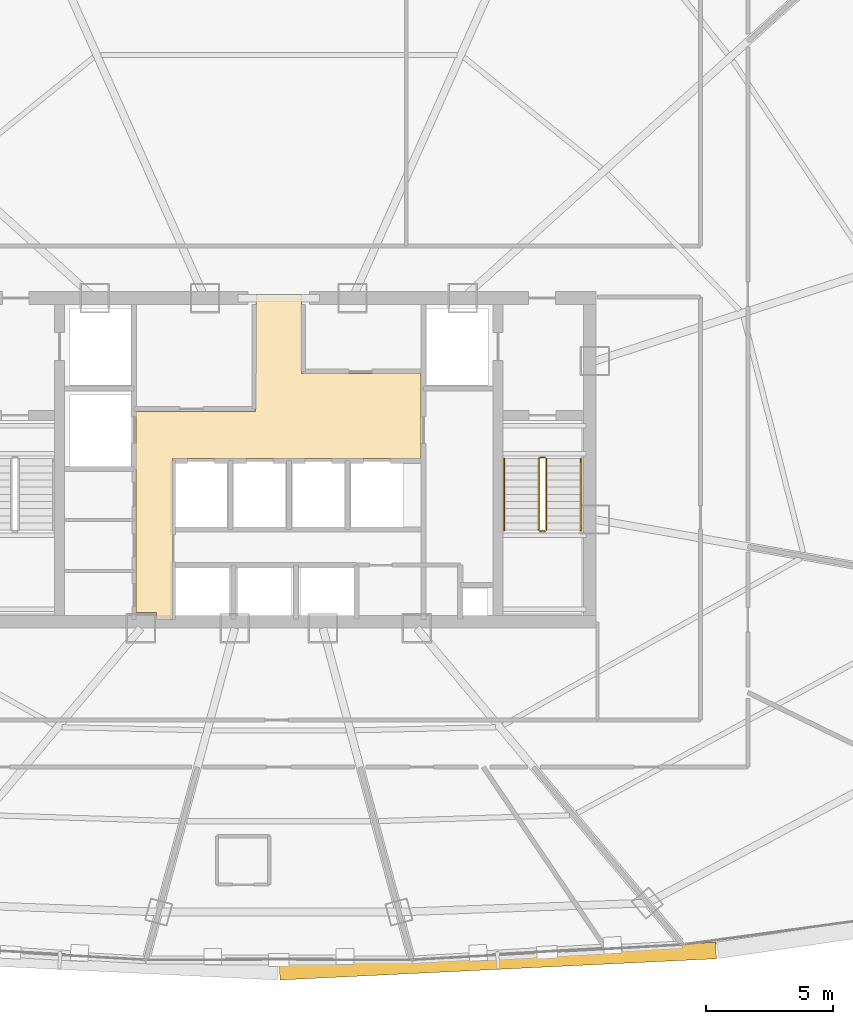
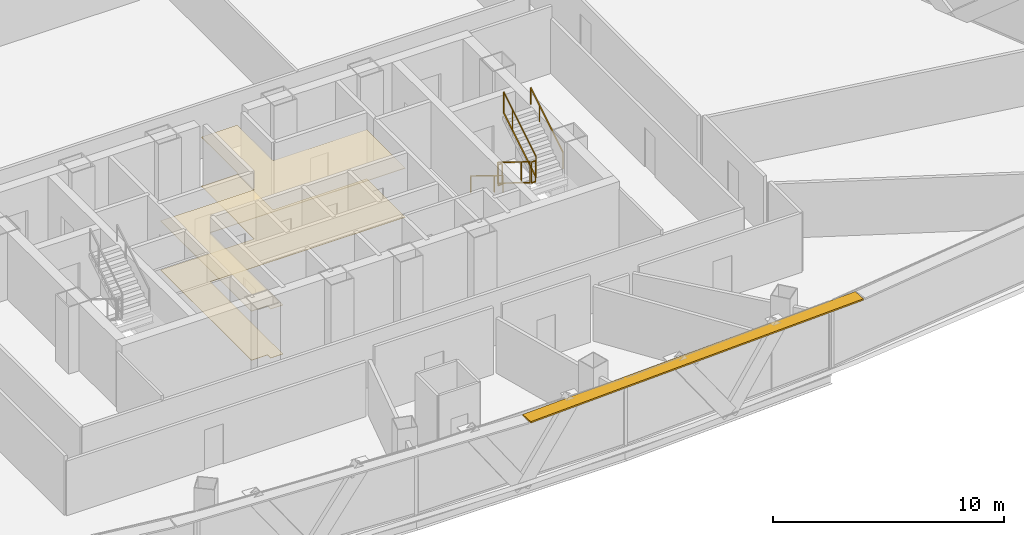
# One storey, part 35 of 37: 6 railings, 2 coverings, 1 shading device.
"""IFC4 building model written with IfcOpenShell, lengths in metres."""

from ifc_helpers import new_model, si_unit, direction, frame, origin, origin_2d, place, context, subcontext, project, spatial, polyline, rectangle, outline, extrude, source, transform, mapped, material, layer, layer_set, type_object, element, save


model = new_model("IFC4")

# Units and contexts
model_context = context("Model", 3, precision=1e-05, world=origin(), true_north=direction((0.0, 1.0)))
body_context = subcontext(model_context, "Body", "Model", "MODEL_VIEW")
ifc_project = project(units=[si_unit("LENGTHUNIT", "METRE"), si_unit("AREAUNIT", "SQUARE_METRE"), si_unit("VOLUMEUNIT", "CUBIC_METRE"), si_unit("PLANEANGLEUNIT", "RADIAN"), si_unit("MASSUNIT", "GRAM", prefix="KILO"), si_unit("THERMODYNAMICTEMPERATUREUNIT", "KELVIN"), si_unit("POWERUNIT", "WATT")], contexts=[model_context])

# Site, building, storey
site_placement = place(None, origin())
site = spatial("IfcSite", under=ifc_project, at=site_placement, CompositionType="ELEMENT")
building_placement = place(site_placement, origin())
building = spatial("IfcBuilding", under=site, at=building_placement, Name="Yunzhuo Pagoda Commons", CompositionType="ELEMENT")
storey_placement = place(building_placement, frame((0.0, 0.0, 199.9599609375)))
storey = spatial("IfcBuildingStorey", under=building, at=storey_placement, Name="L50", CompositionType="ELEMENT", Elevation=199.9599609375)

# Coverings
ifc_material_1 = material(Name="Perforated gypsum acoustic ceiling tile")
ifc_layer_1 = layer(ifc_material_1, 0.030029296875)
ifc_layer_set_1 = layer_set([ifc_layer_1], Name="Perforated gypsum acoustic ceiling tile")
covering_type_1 = type_object("IfcCoveringType", Name="COV-CL2 Ceiling 30", PredefinedType="CEILING", material=ifc_layer_set_1)
covering_1_placement = place(storey_placement, frame((0.0, 0.0, 2.590087890625)))
element("IfcCovering", 1, at=covering_1_placement, inside=storey, type_object=covering_type_1, Name="L50 lift lobby acoustic ceiling", PredefinedType="CEILING", context=body_context, shape_type="SweptSolid", body=[
    extrude(outline(polyline([(42.39990234375, 35.75), (47.080078125, 35.75), (47.080078125, 37.25), (47.10009765625, 37.25), (47.10009765625, 40.35009765625), (48.89990234375, 40.35009765625), (48.89990234375, 37.25), (53.580078125, 37.25), (53.580078125, 33.89990234375), (43.820068359375, 33.89990234375), (43.820068359375, 27.60009765625), (43.207763671875, 27.60009765625), (43.207763671875, 27.85009765625), (43.201904296875, 27.864013671875), (43.187744140625, 27.8701171875), (42.39990234375, 27.8701171875), (42.39990234375, 33.89990234375), (42.39990234375, 35.75)])), origin(), (0.0, 0.0, 1.0), 0.030029296875),
])
ifc_material_2 = material(Name="Porcelain ceramic floor tile")
ifc_layer_2 = layer(ifc_material_2, 0.02001953125)
ifc_layer_set_2 = layer_set([ifc_layer_2], Name="Porcelain ceramic floor tile")
covering_type_2 = type_object("IfcCoveringType", Name="COV-FL1 Flooring 20", PredefinedType="FLOORING", material=ifc_layer_set_2)
covering_2_placement = place(storey_placement, origin())
element("IfcCovering", 2, at=covering_2_placement, inside=storey, type_object=covering_type_2, Name="L50 lift lobby flooring", PredefinedType="FLOORING", context=body_context, shape_type="SweptSolid", body=[
    extrude(outline(polyline([(42.39990234375, 35.75), (47.080078125, 35.75), (47.080078125, 37.25), (47.10009765625, 37.25), (47.10009765625, 40.35009765625), (48.89990234375, 40.35009765625), (48.89990234375, 37.25), (53.580078125, 37.25), (53.580078125, 33.89990234375), (43.820068359375, 33.89990234375), (43.820068359375, 27.60009765625), (43.207763671875, 27.60009765625), (43.207763671875, 27.85009765625), (43.201904296875, 27.864013671875), (43.187744140625, 27.8701171875), (42.39990234375, 27.8701171875), (42.39990234375, 33.89990234375), (42.39990234375, 35.75)])), origin(), (0.0, 0.0, 1.0), 0.02001953125),
])

# Railings
ifc_material_3 = material(Name="Anodized aluminium 6063-T6", Category="aluminium")
railing_type_1 = type_object("IfcRailingType", Name="GR-ST2 Stair Well Guardrail 1160", PredefinedType="GUARDRAIL", material=ifc_material_3)
railing_1_placement = place(storey_placement, frame((58.199951171875, 33.89990234375, 0.1728515625)))
element("IfcRailing", 3, at=railing_1_placement, inside=storey, type_object=railing_type_1, Name="L50 ST2 stair guard 1", PredefinedType="GUARDRAIL", context=body_context, shape_type="SweptSolid", body=[
    extrude(rectangle(XDim=0.048095703125, YDim=0.048095703125, at=origin_2d()), frame((0.0, 0.0, 1.1259765625), z_axis=(0.0, -0.851069175582, 0.525053576669), x_axis=(1.0, 0.0, 0.0)), (0.0, 0.0, 1.0), 3.289794921875),
    extrude(rectangle(XDim=0.048095703125, YDim=0.048095703125, at=origin_2d()), frame((0.0, 0.0, 0.02392578125), z_axis=(0.0, -0.851069175582, 0.525053576669), x_axis=(1.0, 0.0, 0.0)), (0.0, 0.0, 1.0), 3.289794921875),
    extrude(rectangle(XDim=0.0419921875, YDim=0.0419921875, at=origin_2d()), origin(), (0.0, 0.0, 1.0), 1.101806640625),
    extrude(rectangle(XDim=0.0419921875, YDim=0.0419921875, at=origin_2d()), frame((0.0, -2.04248046875, 1.260009765625)), (0.0, 0.0, 1.0), 1.101806640625),
    extrude(rectangle(XDim=0.0419921875, YDim=0.0419921875, at=origin_2d()), frame((0.0, -2.7998046875, 1.727294921875)), (0.0, 0.0, 1.0), 1.101806640625),
])
railing_2_placement = place(storey_placement, frame((58.25, 31.050048828125, 1.900146484375)))
element("IfcRailing", 4, at=railing_2_placement, inside=storey, type_object=railing_type_1, Name="L50 ST2 stair guard 2", PredefinedType="GUARDRAIL", context=body_context, shape_type="SweptSolid", body=[
    extrude(rectangle(XDim=0.048095703125, YDim=0.048095703125, at=origin_2d()), frame((0.0, 0.0, 1.1259765625), z_axis=(1.0, 0.0, 0.0), x_axis=(0.0, 1.0, 0.0)), (0.0, 0.0, 1.0), 0.199951171875),
    extrude(rectangle(XDim=0.048095703125, YDim=0.048095703125, at=origin_2d()), frame((0.0, 0.0, 0.02392578125), z_axis=(1.0, 0.0, 0.0), x_axis=(0.0, 1.0, 0.0)), (0.0, 0.0, 1.0), 0.199951171875),
    extrude(rectangle(XDim=0.0419921875, YDim=0.0419921875, at=origin_2d()), origin(), (0.0, 0.0, 1.0), 1.101806640625),
    extrude(rectangle(XDim=0.0419921875, YDim=0.0419921875, at=origin_2d()), frame((0.199951171875, 0.0, 0.0)), (0.0, 0.0, 1.0), 1.101806640625),
])
railing_3_placement = place(storey_placement, frame((58.5, 31.10009765625, 2.07275390625)))
element("IfcRailing", 5, at=railing_3_placement, inside=storey, type_object=railing_type_1, Name="L50 ST2 stair guard 3", PredefinedType="GUARDRAIL", context=body_context, shape_type="SweptSolid", body=[
    extrude(rectangle(XDim=0.048095703125, YDim=0.048095703125, at=origin_2d()), frame((0.0, 0.0, 1.1259765625), z_axis=(0.0, 0.851069175582, 0.525053576669), x_axis=(-1.0, 0.0, 0.0)), (0.0, 0.0, 1.0), 3.289794921875),
    extrude(rectangle(XDim=0.048095703125, YDim=0.048095703125, at=origin_2d()), frame((0.0, 0.0, 0.02392578125), z_axis=(0.0, 0.851069175582, 0.525053576669), x_axis=(-1.0, 0.0, 0.0)), (0.0, 0.0, 1.0), 3.289794921875),
    extrude(rectangle(XDim=0.0419921875, YDim=0.0419921875, at=origin_2d()), origin(), (0.0, 0.0, 1.0), 1.101806640625),
    extrude(rectangle(XDim=0.0419921875, YDim=0.0419921875, at=origin_2d()), frame((0.0, 2.04248046875, 1.260009765625)), (0.0, 0.0, 1.0), 1.101806640625),
    extrude(rectangle(XDim=0.0419921875, YDim=0.0419921875, at=origin_2d()), frame((0.0, 2.7998046875, 1.727294921875)), (0.0, 0.0, 1.0), 1.101806640625),
])
railing_4_placement = place(storey_placement, frame((58.25, 33.949951171875, 0.0)))
element("IfcRailing", 6, at=railing_4_placement, inside=storey, type_object=railing_type_1, Name="L50 ST2 stair guard 4", PredefinedType="GUARDRAIL", context=body_context, shape_type="SweptSolid", body=[
    extrude(rectangle(XDim=0.048095703125, YDim=0.048095703125, at=origin_2d()), frame((0.0, 0.0, 1.1259765625), z_axis=(1.0, 0.0, 0.0), x_axis=(0.0, 1.0, 0.0)), (0.0, 0.0, 1.0), 0.199951171875),
    extrude(rectangle(XDim=0.048095703125, YDim=0.048095703125, at=origin_2d()), frame((0.0, 0.0, 0.02392578125), z_axis=(1.0, 0.0, 0.0), x_axis=(0.0, 1.0, 0.0)), (0.0, 0.0, 1.0), 0.199951171875),
    extrude(rectangle(XDim=0.0419921875, YDim=0.0419921875, at=origin_2d()), origin(), (0.0, 0.0, 1.0), 1.101806640625),
    extrude(rectangle(XDim=0.0419921875, YDim=0.0419921875, at=origin_2d()), frame((0.199951171875, 0.0, 0.0)), (0.0, 0.0, 1.0), 1.101806640625),
])
railing_type_2 = type_object("IfcRailingType", Name="HR-ST2 Stair Handrail 900", PredefinedType="HANDRAIL", material=ifc_material_3)
railing_5_placement = place(storey_placement, frame((56.85009765625, 33.89990234375, 0.1728515625)))
element("IfcRailing", 7, at=railing_5_placement, inside=storey, type_object=railing_type_2, Name="L50 ST2 stair handrail 1", PredefinedType="HANDRAIL", context=body_context, shape_type="SweptSolid", body=[
    extrude(rectangle(XDim=0.048095703125, YDim=0.048095703125, at=origin_2d()), frame((0.0, 0.0, 0.8759765625), z_axis=(0.0, -0.851069175582, 0.525053576669), x_axis=(1.0, 0.0, 0.0)), (0.0, 0.0, 1.0), 3.289794921875),
    extrude(rectangle(XDim=0.0419921875, YDim=0.0419921875, at=origin_2d()), origin(), (0.0, 0.0, 1.0), 0.851806640625),
    extrude(rectangle(XDim=0.0419921875, YDim=0.0419921875, at=origin_2d()), frame((0.0, -2.04248046875, 1.260009765625)), (0.0, 0.0, 1.0), 0.851806640625),
    extrude(rectangle(XDim=0.0419921875, YDim=0.0419921875, at=origin_2d()), frame((0.0, -2.7998046875, 1.727294921875)), (0.0, 0.0, 1.0), 0.851806640625),
])
railing_6_placement = place(storey_placement, frame((59.85009765625, 31.10009765625, 2.07275390625)))
element("IfcRailing", 8, at=railing_6_placement, inside=storey, type_object=railing_type_2, Name="L50 ST2 stair handrail 2", PredefinedType="HANDRAIL", context=body_context, shape_type="SweptSolid", body=[
    extrude(rectangle(XDim=0.048095703125, YDim=0.048095703125, at=origin_2d()), frame((0.0, 0.0, 0.8759765625), z_axis=(0.0, 0.851069175582, 0.525053576669), x_axis=(-1.0, 0.0, 0.0)), (0.0, 0.0, 1.0), 3.289794921875),
    extrude(rectangle(XDim=0.0419921875, YDim=0.0419921875, at=origin_2d()), origin(), (0.0, 0.0, 1.0), 0.851806640625),
    extrude(rectangle(XDim=0.0419921875, YDim=0.0419921875, at=origin_2d()), frame((0.0, 2.04248046875, 1.260009765625)), (0.0, 0.0, 1.0), 0.851806640625),
    extrude(rectangle(XDim=0.0419921875, YDim=0.0419921875, at=origin_2d()), frame((0.0, 2.7998046875, 1.727294921875)), (0.0, 0.0, 1.0), 0.851806640625),
])

# Shading device
ifc_layer_3 = layer(ifc_material_3, 0.080078125)
ifc_layer_set_3 = layer_set([ifc_layer_3], Name="Anodized aluminium 6063-T6")
shading_device_type = type_object("IfcShadingDeviceType", Name="SH-SUN1 Pagoda Horizontal Sunshade Eave 650", PredefinedType="USERDEFINED", material=ifc_layer_set_3)
shared_shape = source(origin(), body_context, "Body", "SweptSolid", [
    extrude(rectangle(XDim=17.143798828125, YDim=0.64990234375, at=origin_2d()), origin(), (0.0, 0.0, 1.0), 0.080078125),
])
shading_device_placement = place(storey_placement, frame((56.593505859375, 14.1875, 3.4599609375), z_axis=(0.0, 0.0, 1.0), x_axis=(0.998818043775, 0.04860571396, 0.0)))
element("IfcShadingDevice", 9, at=shading_device_placement, inside=storey, type_object=shading_device_type, Name="L50 horizontal pagoda sunshade eave F1.3", ObjectType="SUNSHADE", PredefinedType="USERDEFINED", context=body_context, shape_type="MappedRepresentation", body=[
    mapped(shared_shape, transform((0.0, 0.0, 0.0), scale=1.0)),
])

save(model, "model.ifc")
